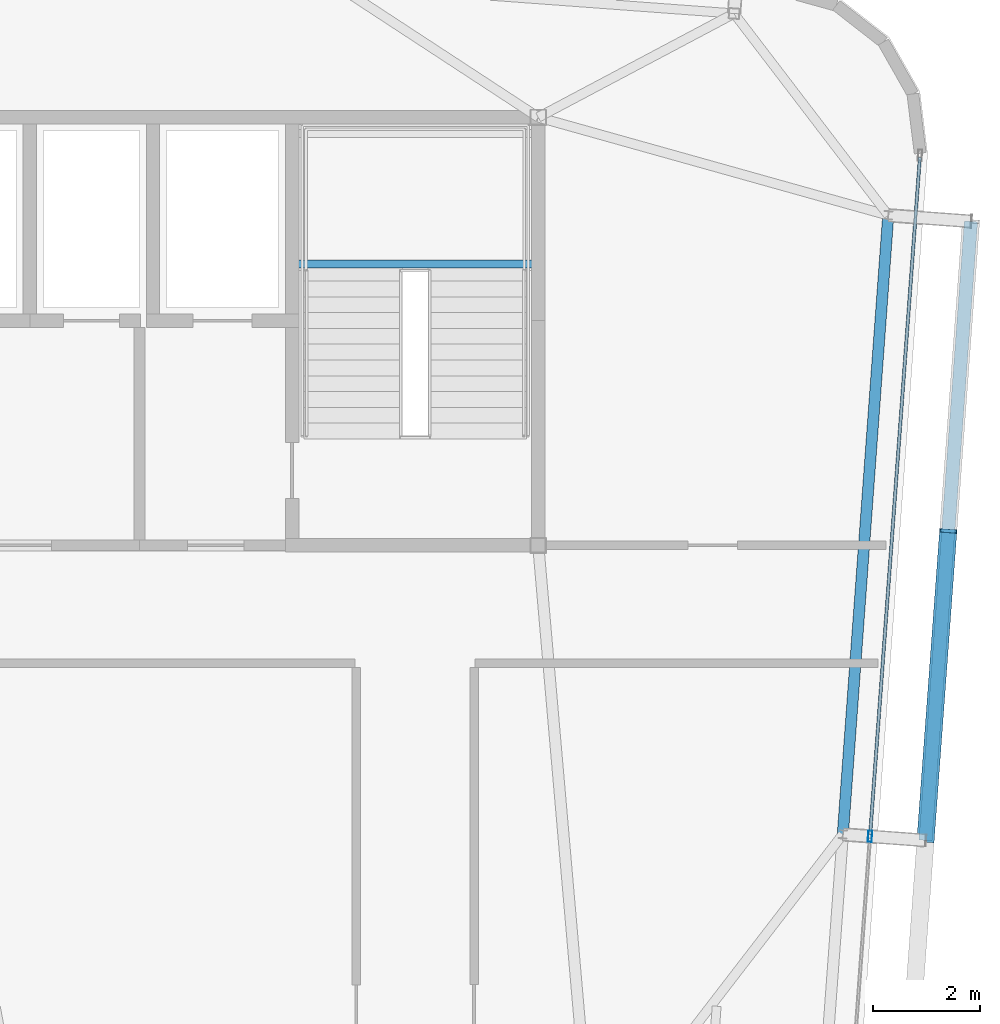
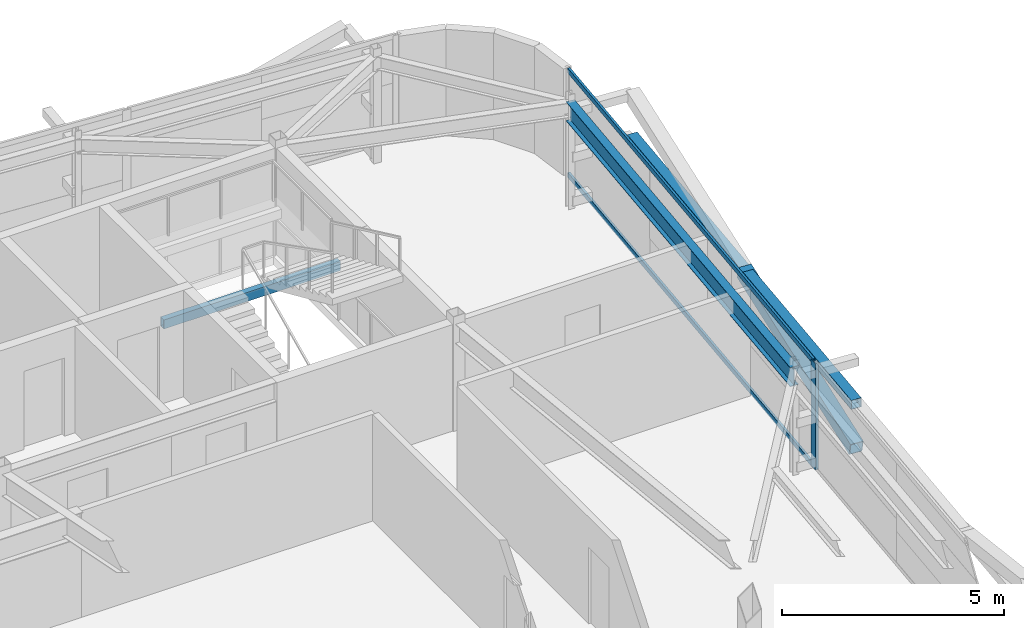
# One storey, part 18 of 36: 5 members, 2 beams, 1 element without a shape of its own.
"""IFC4 building model written with IfcOpenShell, lengths in metres."""

from ifc_helpers import new_model, si_unit, direction, frame, origin, origin_2d, place, context, subcontext, project, spatial, hollow_rectangle, i_section, extrude, source, transform, mapped, material, layer, layer_set, material_profile, profile_set, type_object, element, aggregate, save


model = new_model("IFC4")

# Units and contexts
model_context = context("Model", 3, precision=1e-05, world=origin(), true_north=direction((0.0, 1.0)))
body_context = subcontext(model_context, "Body", "Model", "MODEL_VIEW")
ifc_project = project(units=[si_unit("LENGTHUNIT", "METRE"), si_unit("AREAUNIT", "SQUARE_METRE"), si_unit("VOLUMEUNIT", "CUBIC_METRE"), si_unit("PLANEANGLEUNIT", "RADIAN"), si_unit("MASSUNIT", "GRAM", prefix="KILO")], contexts=[model_context])

# Site, building, storey
site_placement = place(None, origin())
site = spatial("IfcSite", under=ifc_project, at=site_placement, CompositionType="ELEMENT")
building_placement = place(site_placement, origin())
building = spatial("IfcBuilding", under=site, at=building_placement, Name="Taldren Reach Tower", CompositionType="ELEMENT")
storey_placement = place(building_placement, frame((0.0, 0.0, 227.14990234375)))
storey = spatial("IfcBuildingStorey", under=building, at=storey_placement, Name="L69", CompositionType="ELEMENT", Elevation=227.14990234375)

# Beam
ifc_material_1 = material(Name="Steel Gr 350 (350PLUS)", Category="steel")
ifc_material_profile_1 = material_profile(ifc_material_1, i_section(OverallWidth=0.208984375, OverallDepth=0.528076171875, WebThickness=0.009521484375, FlangeThickness=0.01318359375, at=origin_2d()), Name="530UB82.0")
ifc_profile_set_1 = profile_set([ifc_material_profile_1], Name="Steel Gr 350 (350PLUS)")
beam_type_1 = type_object("IfcBeamType", Name="SP-UB530B", PredefinedType="SPANDREL", material=ifc_profile_set_1)
shared_shape_1 = source(origin(), body_context, "Body", "SweptSolid", [
    extrude(i_section(OverallWidth=0.208984375, OverallDepth=0.528076171875, WebThickness=0.009521484375, FlangeThickness=0.01318359375, at=origin_2d()), origin(), (0.0, 0.0, 1.0), 11.60009765625),
])
beam_1_placement = place(storey_placement, frame((56.69140625, 18.599853515625, 2.666015625), z_axis=(0.073221234109, 0.997315722766, 0.0), x_axis=(-0.997315722766, 0.073221234109, 0.0)))
element("IfcBeam", 1, at=beam_1_placement, inside=storey, type_object=beam_type_1, Name="Perimeter spandrel B5 E2-E3 L69", PredefinedType="SPANDREL", context=body_context, shape_type="MappedRepresentation", body=[
    mapped(shared_shape_1, transform((0.0, 0.0, 0.0), scale=1.0)),
])

# Members
ifc_material_2 = material(Name="Steel Gr 450 (C450L0)", Category="steel")
ifc_material_profile_2 = material_profile(ifc_material_2, hollow_rectangle(XDim=0.324951171875, YDim=0.324951171875, WallThickness=0.0126953125, at=origin_2d()), Name="325x325x12.7SHS")
ifc_profile_set_2 = profile_set([ifc_material_profile_2], Name="Steel Gr 450 (C450L0)")
member_type_1 = type_object("IfcMemberType", Name="MB-BR324", PredefinedType="BRACE", material=ifc_profile_set_2)
shared_shape_2 = source(origin(), body_context, "Body", "SweptSolid", [
    extrude(hollow_rectangle(XDim=0.324951171875, YDim=0.324951171875, WallThickness=0.0126953125, at=origin_2d()), origin(), (0.0, 0.0, 1.0), 5.92578125),
])
member_1_placement = place(storey_placement, frame((58.237060546875, 18.486328125, 0.22021484375), z_axis=(0.071686540919, 0.976131732187, 0.205007027365), x_axis=(-0.997314185625, 0.073242167855, 0.0)))
element("IfcMember", 2, at=member_1_placement, inside=storey, type_object=member_type_1, Name="Exoskeleton Diagrid Brace B5-E2 L69", PredefinedType="BRACE", context=body_context, shape_type="MappedRepresentation", body=[
    mapped(shared_shape_2, transform((0.0, 0.0, 0.0), scale=1.0)),
])
ifc_material_3 = material(Name="Steel Gr 350 (C350L0)", Category="steel")
ifc_material_profile_3 = material_profile(ifc_material_3, hollow_rectangle(XDim=0.25, YDim=0.25, WallThickness=0.010009765625, at=origin_2d()), Name="250x250x10.0SHS")
ifc_profile_set_3 = profile_set([ifc_material_profile_3], Name="Steel Gr 350 (C350L0)")
member_type_2 = type_object("IfcMemberType", Name="MB-POST250", PredefinedType="POST", material=ifc_profile_set_3)
shared_shape_3 = source(origin(), body_context, "Body", "SweptSolid", [
    extrude(hollow_rectangle(XDim=0.25, YDim=0.25, WallThickness=0.010009765625, at=origin_2d()), origin(), (0.0, 0.0, 1.0), 11.60009765625),
])
member_2_placement = place(storey_placement, frame((58.237060546875, 18.486328125, 1.43505859375), z_axis=(0.073242167855, 0.997314185625, 0.0), x_axis=(-0.997314185625, 0.073242167855, 0.0)))
element("IfcMember", 3, at=member_2_placement, inside=storey, type_object=member_type_2, Name="Exoskeleton mid-height ring chord B5-E2 L69", PredefinedType="POST", context=body_context, shape_type="MappedRepresentation", body=[
    mapped(shared_shape_3, transform((0.0, 0.0, 0.0), scale=1.0)),
])

# Curtain wall, members
ifc_material_4 = material(Name="Aluminium and Low-E Glass Unitised System", Category="aluminium")
ifc_layer = layer(ifc_material_4, 0.159912109375)
ifc_layer_set = layer_set([ifc_layer], Name="Aluminium and Low-E Glass Unitised System")
curtain_wall_type = type_object("IfcCurtainWallType", Name="CW-SYS-7", PredefinedType="NOTDEFINED", material=ifc_layer_set)
curtain_wall_placement = place(storey_placement, origin())
curtain_wall = element("IfcCurtainWall", 4, at=curtain_wall_placement, inside=storey, type_object=curtain_wall_type, Name="Unitised curtain wall CW-L69-E", PredefinedType="NOTDEFINED")
ifc_material_5 = material(Name="Anodised Aluminium 6063-T6", Category="aluminium")
ifc_material_profile_4 = material_profile(ifc_material_5, hollow_rectangle(XDim=0.074951171875, YDim=0.2099609375, WallThickness=0.00439453125, at=origin_2d()), Name="ALU-210x75x4.5RHS")
ifc_profile_set_4 = profile_set([ifc_material_profile_4], Name="Anodised Aluminium 6063-T6")
member_type_3 = type_object("IfcMemberType", Name="CW-MUL-200", PredefinedType="MULLION", material=ifc_profile_set_4)
shared_shape_4 = source(origin(), body_context, "Body", "SweptSolid", [
    extrude(hollow_rectangle(XDim=0.074951171875, YDim=0.2099609375, WallThickness=0.00439453125, at=origin_2d()), origin(), (0.0, 0.0, 1.0), 2.93017578125),
])
member_3_placement = place(storey_placement, frame((57.199951171875, 18.5625, 0.0), z_axis=(0.0, 0.0, 1.0), x_axis=(-0.997314470951, 0.073238282558, 0.0)))
member_3 = element("IfcMember", 5, at=member_3_placement, type_object=member_type_3, Name="CW-7 mullion 2", PredefinedType="MULLION", context=body_context, shape_type="MappedRepresentation", body=[
    mapped(shared_shape_4, transform((0.0, 0.0, 0.0), scale=1.0)),
])
ifc_material_profile_5 = material_profile(ifc_material_5, hollow_rectangle(XDim=0.06005859375, YDim=0.135009765625, WallThickness=0.00341796875, at=origin_2d()), Name="ALU-135x60x3.5RHS")
ifc_profile_set_5 = profile_set([ifc_material_profile_5], Name="Anodised Aluminium 6063-T6")
member_type_4 = type_object("IfcMemberType", Name="CW-TRN-150", PredefinedType="USERDEFINED", material=ifc_profile_set_5)
shared_shape_5 = source(origin(), body_context, "Body", "SweptSolid", [
    extrude(hollow_rectangle(XDim=0.06005859375, YDim=0.135009765625, WallThickness=0.00341796875, at=origin_2d()), origin(), (0.0, 0.0, 1.0), 12.6875),
])
member_4_placement = place(storey_placement, frame((57.20263671875, 18.599853515625, 0.030029296875), z_axis=(0.073237997916, 0.997314491854, 0.0), x_axis=(-0.997314491854, 0.073237997916, 0.0)))
member_4 = element("IfcMember", 6, at=member_4_placement, type_object=member_type_4, Name="CW-7 transom 2.1", ObjectType="TRANSOM", PredefinedType="USERDEFINED", context=body_context, shape_type="MappedRepresentation", body=[
    mapped(shared_shape_5, transform((0.0, 0.0, 0.0), scale=1.0)),
])
member_5_placement = place(storey_placement, frame((57.20263671875, 18.599853515625, 2.900146484375), z_axis=(0.073237997916, 0.997314491854, 0.0), x_axis=(-0.997314491854, 0.073237997916, 0.0)))
member_5 = element("IfcMember", 7, at=member_5_placement, type_object=member_type_4, Name="CW-7 transom 2.2", ObjectType="TRANSOM", PredefinedType="USERDEFINED", context=body_context, shape_type="MappedRepresentation", body=[
    mapped(shared_shape_5, transform((0.0, 0.0, 0.0), scale=1.0)),
])
aggregate(curtain_wall, [member_3, member_4, member_5])

# Beam
ifc_material_profile_6 = material_profile(ifc_material_3, hollow_rectangle(XDim=0.14990234375, YDim=0.25, WallThickness=0.009033203125, at=origin_2d()), Name="250x150x9.0RHS")
ifc_profile_set_6 = profile_set([ifc_material_profile_6], Name="Steel Gr 350 (C350L0)")
beam_type_2 = type_object("IfcBeamType", Name="LN-RHS250", PredefinedType="LINTEL", material=ifc_profile_set_6)
shared_shape_6 = source(origin(), body_context, "Body", "SweptSolid", [
    extrude(hollow_rectangle(XDim=0.14990234375, YDim=0.25, WallThickness=0.009033203125, at=origin_2d()), origin(), (0.0, 0.0, 1.0), 4.60009765625),
])
beam_2_placement = place(storey_placement, frame((46.39990234375, 29.2548828125, 1.27001953125), z_axis=(1.0, 0.0, 0.0), x_axis=(0.0, 1.0, 0.0)))
element("IfcBeam", 8, at=beam_2_placement, inside=storey, type_object=beam_type_2, Name="Stair half-landing support beam ST2-L69-1", PredefinedType="LINTEL", context=body_context, shape_type="MappedRepresentation", body=[
    mapped(shared_shape_6, transform((0.0, 0.0, 0.0), scale=1.0)),
])

save(model, "model.ifc")
